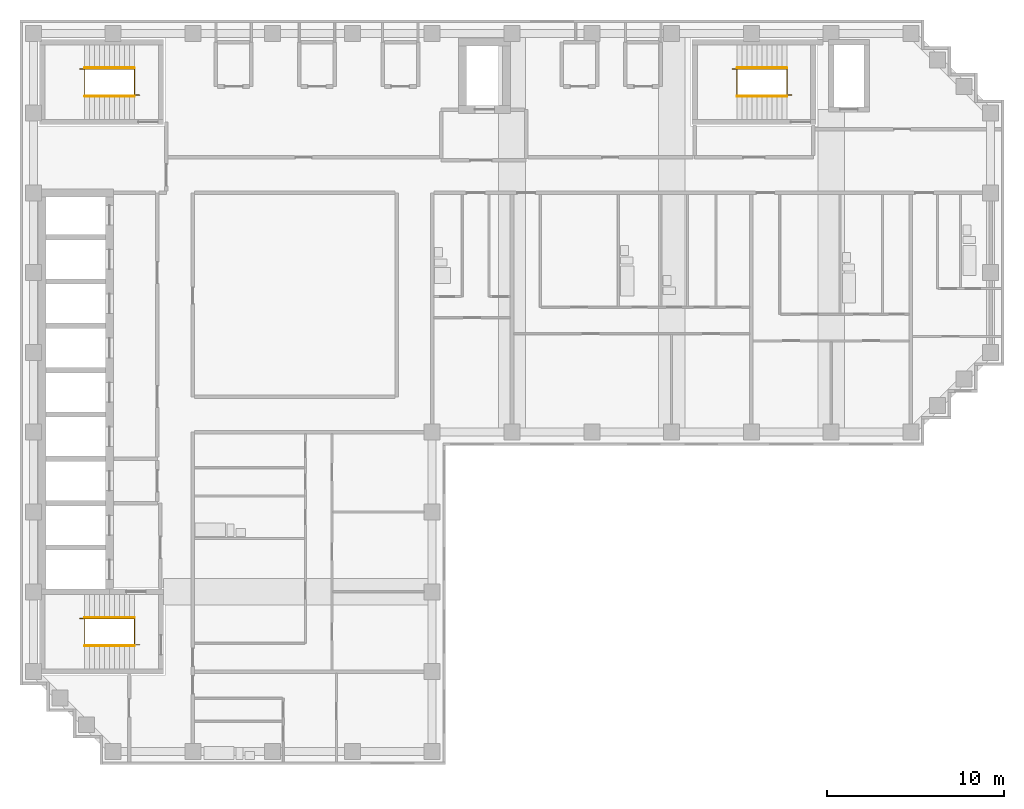
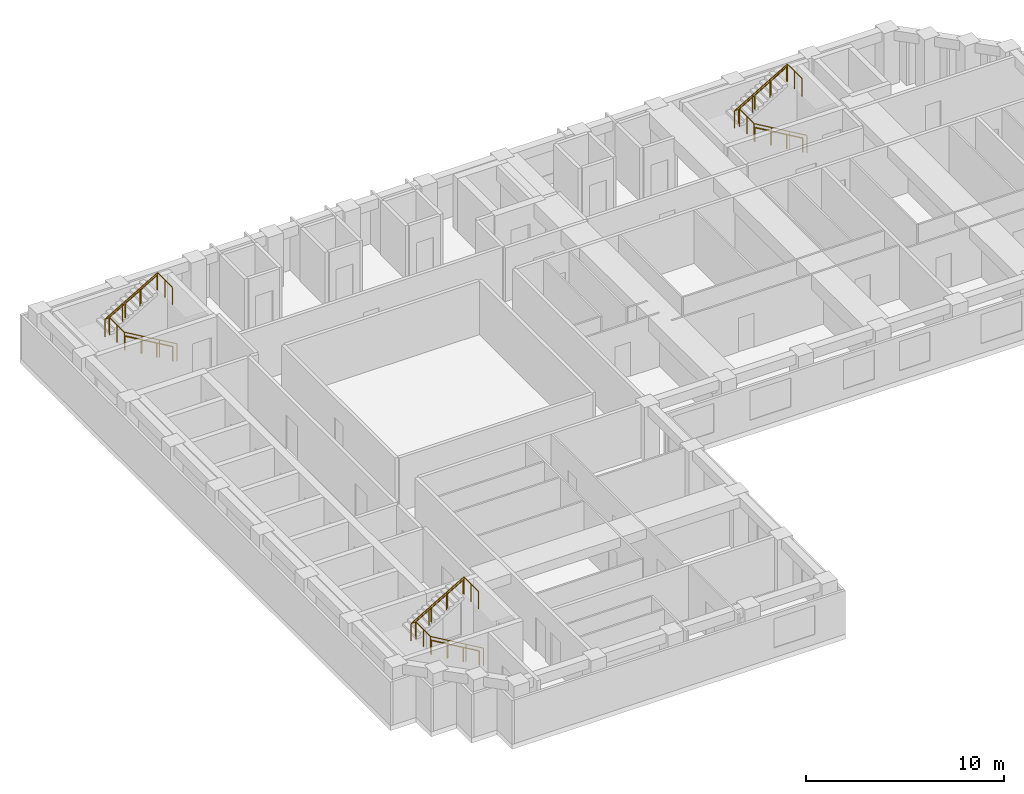
# One storey, part 8 of 9: 9 railings.
"""IFC4 building model written with IfcOpenShell, lengths in metres."""

from ifc_helpers import new_model, si_unit, direction, frame, origin, origin_2d, place, context, subcontext, project, spatial, circle, extrude, material, type_object, element, save


model = new_model("IFC4")

# Units and contexts
model_context = context("Model", 3, precision=1e-05, world=origin(), true_north=direction((0.0, 1.0)))
body_context = subcontext(model_context, "Body", "Model", "MODEL_VIEW")
ifc_project = project(units=[si_unit("LENGTHUNIT", "METRE"), si_unit("AREAUNIT", "SQUARE_METRE"), si_unit("VOLUMEUNIT", "CUBIC_METRE"), si_unit("PLANEANGLEUNIT", "RADIAN"), si_unit("MASSUNIT", "GRAM", prefix="KILO")], contexts=[model_context])

# Site, building, storey
site_placement = place(None, origin())
site = spatial("IfcSite", under=ifc_project, at=site_placement, CompositionType="ELEMENT")
building_placement = place(site_placement, origin())
building = spatial("IfcBuilding", under=site, at=building_placement, Name="Firuza Court", CompositionType="ELEMENT")
storey_placement = place(building_placement, frame((0.0, 0.0, 215.0)))
storey = spatial("IfcBuildingStorey", under=building, at=storey_placement, Name="L55", CompositionType="ELEMENT", Elevation=215.0)

# Railings
ifc_material_1 = material(Name="Steel S355", Category="steel")
railing_type_1 = type_object("IfcRailingType", Name="Handrail 900", PredefinedType="HANDRAIL", material=ifc_material_1)
railing_1_placement = place(storey_placement, frame((42.5, 54.949951171875, 0.16357421875)))
element("IfcRailing", 1, at=railing_1_placement, inside=storey, type_object=railing_type_1, Name="Handrail S1 flight 1", PredefinedType="HANDRAIL", context=body_context, shape_type="SweptSolid", body=[
    extrude(circle(Radius=0.02490234375, at=origin_2d()), frame((0.0, 0.0, 0.875), z_axis=(-0.863360870873, 0.0, 0.504586966384), x_axis=(0.0, -1.0, 0.0)), (0.0, 0.0, 1.0), 3.2431640625),
    extrude(circle(Radius=0.02001953125, at=origin_2d()), origin(), (0.0, 0.0, 1.0), 0.849853515625),
    extrude(circle(Radius=0.02001953125, at=origin_2d()), frame((-0.933349609375, 0.0, 0.54541015625)), (0.0, 0.0, 1.0), 0.849853515625),
    extrude(circle(Radius=0.02001953125, at=origin_2d()), frame((-1.86669921875, 0.0, 1.091064453125)), (0.0, 0.0, 1.0), 0.849853515625),
    extrude(circle(Radius=0.02001953125, at=origin_2d()), frame((-2.800048828125, 0.0, 1.636474609375)), (0.0, 0.0, 1.0), 0.849853515625),
])
railing_2_placement = place(storey_placement, frame((39.699951171875, 56.550048828125, 1.963623046875)))
element("IfcRailing", 2, at=railing_2_placement, inside=storey, type_object=railing_type_1, Name="Handrail S1 flight 2", PredefinedType="HANDRAIL", context=body_context, shape_type="SweptSolid", body=[
    extrude(circle(Radius=0.02490234375, at=origin_2d()), frame((0.0, 0.0, 0.875), z_axis=(0.863360870873, 0.0, 0.504586966384), x_axis=(0.0, 1.0, 0.0)), (0.0, 0.0, 1.0), 3.2431640625),
    extrude(circle(Radius=0.02001953125, at=origin_2d()), origin(), (0.0, 0.0, 1.0), 0.849853515625),
    extrude(circle(Radius=0.02001953125, at=origin_2d()), frame((0.933349609375, 0.0, 0.54541015625)), (0.0, 0.0, 1.0), 0.849853515625),
    extrude(circle(Radius=0.02001953125, at=origin_2d()), frame((1.86669921875, 0.0, 1.091064453125)), (0.0, 0.0, 1.0), 0.849853515625),
    extrude(circle(Radius=0.02001953125, at=origin_2d()), frame((2.800048828125, 0.0, 1.636474609375)), (0.0, 0.0, 1.0), 0.849853515625),
])
railing_3_placement = place(storey_placement, frame((5.699951171875, 23.949951171875, 0.16357421875)))
element("IfcRailing", 3, at=railing_3_placement, inside=storey, type_object=railing_type_1, Name="Handrail S2 flight 1", PredefinedType="HANDRAIL", context=body_context, shape_type="SweptSolid", body=[
    extrude(circle(Radius=0.02490234375, at=origin_2d()), frame((0.0, 0.0, 0.875), z_axis=(-0.863360870873, 0.0, 0.504586966384), x_axis=(0.0, -1.0, 0.0)), (0.0, 0.0, 1.0), 3.2431640625),
    extrude(circle(Radius=0.02001953125, at=origin_2d()), origin(), (0.0, 0.0, 1.0), 0.849853515625),
    extrude(circle(Radius=0.02001953125, at=origin_2d()), frame((-0.933349609375, 0.0, 0.54541015625)), (0.0, 0.0, 1.0), 0.849853515625),
    extrude(circle(Radius=0.02001953125, at=origin_2d()), frame((-1.86669921875, 0.0, 1.091064453125)), (0.0, 0.0, 1.0), 0.849853515625),
    extrude(circle(Radius=0.02001953125, at=origin_2d()), frame((-2.800048828125, 0.0, 1.636474609375)), (0.0, 0.0, 1.0), 0.849853515625),
])
railing_4_placement = place(storey_placement, frame((2.89990234375, 25.550048828125, 1.963623046875)))
element("IfcRailing", 4, at=railing_4_placement, inside=storey, type_object=railing_type_1, Name="Handrail S2 flight 2", PredefinedType="HANDRAIL", context=body_context, shape_type="SweptSolid", body=[
    extrude(circle(Radius=0.02490234375, at=origin_2d()), frame((0.0, 0.0, 0.875), z_axis=(0.863360870873, 0.0, 0.504586966384), x_axis=(0.0, 1.0, 0.0)), (0.0, 0.0, 1.0), 3.2431640625),
    extrude(circle(Radius=0.02001953125, at=origin_2d()), origin(), (0.0, 0.0, 1.0), 0.849853515625),
    extrude(circle(Radius=0.02001953125, at=origin_2d()), frame((0.933349609375, 0.0, 0.54541015625)), (0.0, 0.0, 1.0), 0.849853515625),
    extrude(circle(Radius=0.02001953125, at=origin_2d()), frame((1.86669921875, 0.0, 1.091064453125)), (0.0, 0.0, 1.0), 0.849853515625),
    extrude(circle(Radius=0.02001953125, at=origin_2d()), frame((2.800048828125, 0.0, 1.636474609375)), (0.0, 0.0, 1.0), 0.849853515625),
])
railing_5_placement = place(storey_placement, frame((5.699951171875, 54.949951171875, 0.16357421875)))
element("IfcRailing", 5, at=railing_5_placement, inside=storey, type_object=railing_type_1, Name="Handrail S3 flight 1", PredefinedType="HANDRAIL", context=body_context, shape_type="SweptSolid", body=[
    extrude(circle(Radius=0.02490234375, at=origin_2d()), frame((0.0, 0.0, 0.875), z_axis=(-0.863360870873, 0.0, 0.504586966384), x_axis=(0.0, -1.0, 0.0)), (0.0, 0.0, 1.0), 3.2431640625),
    extrude(circle(Radius=0.02001953125, at=origin_2d()), origin(), (0.0, 0.0, 1.0), 0.849853515625),
    extrude(circle(Radius=0.02001953125, at=origin_2d()), frame((-0.933349609375, 0.0, 0.54541015625)), (0.0, 0.0, 1.0), 0.849853515625),
    extrude(circle(Radius=0.02001953125, at=origin_2d()), frame((-1.86669921875, 0.0, 1.091064453125)), (0.0, 0.0, 1.0), 0.849853515625),
    extrude(circle(Radius=0.02001953125, at=origin_2d()), frame((-2.800048828125, 0.0, 1.636474609375)), (0.0, 0.0, 1.0), 0.849853515625),
])
railing_6_placement = place(storey_placement, frame((2.89990234375, 56.550048828125, 1.963623046875)))
element("IfcRailing", 6, at=railing_6_placement, inside=storey, type_object=railing_type_1, Name="Handrail S3 flight 2", PredefinedType="HANDRAIL", context=body_context, shape_type="SweptSolid", body=[
    extrude(circle(Radius=0.02490234375, at=origin_2d()), frame((0.0, 0.0, 0.875), z_axis=(0.863360870873, 0.0, 0.504586966384), x_axis=(0.0, 1.0, 0.0)), (0.0, 0.0, 1.0), 3.2431640625),
    extrude(circle(Radius=0.02001953125, at=origin_2d()), origin(), (0.0, 0.0, 1.0), 0.849853515625),
    extrude(circle(Radius=0.02001953125, at=origin_2d()), frame((0.933349609375, 0.0, 0.54541015625)), (0.0, 0.0, 1.0), 0.849853515625),
    extrude(circle(Radius=0.02001953125, at=origin_2d()), frame((1.86669921875, 0.0, 1.091064453125)), (0.0, 0.0, 1.0), 0.849853515625),
    extrude(circle(Radius=0.02001953125, at=origin_2d()), frame((2.800048828125, 0.0, 1.636474609375)), (0.0, 0.0, 1.0), 0.849853515625),
])
ifc_material_2 = material(Name="Steel S355", Category="steel")
railing_type_2 = type_object("IfcRailingType", Name="Stair guard 1100", PredefinedType="GUARDRAIL", material=ifc_material_2)
railing_7_placement = place(storey_placement, frame((42.780029296875, 55.010009765625, 0.0)))
element("IfcRailing", 7, at=railing_7_placement, inside=storey, type_object=railing_type_2, Name="Stair well guard S1", PredefinedType="GUARDRAIL", context=body_context, shape_type="SweptSolid", body=[
    extrude(circle(Radius=0.02490234375, at=origin_2d()), frame((0.0, 0.0, 1.0751953125), z_axis=(-0.863371556955, 0.0, 0.504568681787), x_axis=(0.0, -1.0, 0.0)), (0.0, 0.0, 1.0), 3.5673828125),
    extrude(circle(Radius=0.02490234375, at=origin_2d()), frame((-3.080078125, 0.0, 2.875), z_axis=(0.0, 1.0, 0.0), x_axis=(-1.0, 0.0, 0.0)), (0.0, 0.0, 1.0), 1.47998046875),
    extrude(circle(Radius=0.02490234375, at=origin_2d()), frame((-3.080078125, 1.47998046875, 2.875), z_axis=(-1.0, 0.0, 0.0), x_axis=(0.0, -1.0, 0.0)), (0.0, 0.0, 1.0), 0.280029296875),
    extrude(circle(Radius=0.02490234375, at=origin_2d()), frame((-3.360107421875, 1.47998046875, 2.875), z_axis=(0.863371556955, 0.0, 0.504568681787), x_axis=(0.0, 1.0, 0.0)), (0.0, 0.0, 1.0), 3.5673828125),
    extrude(circle(Radius=0.02490234375, at=origin_2d()), frame((-0.280029296875, 1.47998046875, 4.67529296875), z_axis=(0.0, -1.0, 0.0), x_axis=(1.0, 0.0, 0.0)), (0.0, 0.0, 1.0), 1.47998046875),
    extrude(circle(Radius=0.02490234375, at=origin_2d()), origin(), (0.0, 0.0, 1.0), 1.050048828125),
    extrude(circle(Radius=0.02490234375, at=origin_2d()), frame((-1.026611328125, 0.0, 0.60009765625)), (0.0, 0.0, 1.0), 1.050048828125),
    extrude(circle(Radius=0.02490234375, at=origin_2d()), frame((-2.053466796875, 0.0, 1.199951171875)), (0.0, 0.0, 1.0), 1.050048828125),
    extrude(circle(Radius=0.02490234375, at=origin_2d()), frame((-3.080078125, 0.0, 1.800048828125)), (0.0, 0.0, 1.0), 1.050048828125),
    extrude(circle(Radius=0.02490234375, at=origin_2d()), frame((-3.080078125, 0.739990234375, 1.800048828125)), (0.0, 0.0, 1.0), 1.050048828125),
    extrude(circle(Radius=0.02490234375, at=origin_2d()), frame((-3.080078125, 1.47998046875, 1.800048828125)), (0.0, 0.0, 1.0), 1.050048828125),
    extrude(circle(Radius=0.02490234375, at=origin_2d()), frame((-3.360107421875, 1.47998046875, 1.800048828125)), (0.0, 0.0, 1.0), 1.050048828125),
    extrude(circle(Radius=0.02490234375, at=origin_2d()), frame((-2.33349609375, 1.47998046875, 2.400146484375)), (0.0, 0.0, 1.0), 1.050048828125),
    extrude(circle(Radius=0.02490234375, at=origin_2d()), frame((-1.306640625, 1.47998046875, 3.0)), (0.0, 0.0, 1.0), 1.050048828125),
    extrude(circle(Radius=0.02490234375, at=origin_2d()), frame((-0.280029296875, 1.47998046875, 3.60009765625)), (0.0, 0.0, 1.0), 1.050048828125),
    extrude(circle(Radius=0.02490234375, at=origin_2d()), frame((-0.280029296875, 0.739990234375, 3.60009765625)), (0.0, 0.0, 1.0), 1.050048828125),
    extrude(circle(Radius=0.02490234375, at=origin_2d()), frame((-0.280029296875, 0.0, 3.60009765625)), (0.0, 0.0, 1.0), 1.050048828125),
])
railing_8_placement = place(storey_placement, frame((5.97998046875, 24.010009765625, 0.0)))
element("IfcRailing", 8, at=railing_8_placement, inside=storey, type_object=railing_type_2, Name="Stair well guard S2", PredefinedType="GUARDRAIL", context=body_context, shape_type="SweptSolid", body=[
    extrude(circle(Radius=0.02490234375, at=origin_2d()), frame((0.0, 0.0, 1.0751953125), z_axis=(-0.863371556955, 0.0, 0.504568681787), x_axis=(0.0, -1.0, 0.0)), (0.0, 0.0, 1.0), 3.5673828125),
    extrude(circle(Radius=0.02490234375, at=origin_2d()), frame((-3.080078125, 0.0, 2.875), z_axis=(0.0, 1.0, 0.0), x_axis=(-1.0, 0.0, 0.0)), (0.0, 0.0, 1.0), 1.47998046875),
    extrude(circle(Radius=0.02490234375, at=origin_2d()), frame((-3.080078125, 1.47998046875, 2.875), z_axis=(-1.0, 0.0, 0.0), x_axis=(0.0, -1.0, 0.0)), (0.0, 0.0, 1.0), 0.27978515625),
    extrude(circle(Radius=0.02490234375, at=origin_2d()), frame((-3.35986328125, 1.47998046875, 2.875), z_axis=(0.863354132664, 0.0, 0.504598495452), x_axis=(0.0, 1.0, 0.0)), (0.0, 0.0, 1.0), 3.5673828125),
    extrude(circle(Radius=0.02490234375, at=origin_2d()), frame((-0.280029296875, 1.47998046875, 4.67529296875), z_axis=(0.0, -1.0, 0.0), x_axis=(1.0, 0.0, 0.0)), (0.0, 0.0, 1.0), 1.47998046875),
    extrude(circle(Radius=0.02490234375, at=origin_2d()), origin(), (0.0, 0.0, 1.0), 1.050048828125),
    extrude(circle(Radius=0.02490234375, at=origin_2d()), frame((-1.026611328125, 0.0, 0.60009765625)), (0.0, 0.0, 1.0), 1.050048828125),
    extrude(circle(Radius=0.02490234375, at=origin_2d()), frame((-2.053466796875, 0.0, 1.199951171875)), (0.0, 0.0, 1.0), 1.050048828125),
    extrude(circle(Radius=0.02490234375, at=origin_2d()), frame((-3.080078125, 0.0, 1.800048828125)), (0.0, 0.0, 1.0), 1.050048828125),
    extrude(circle(Radius=0.02490234375, at=origin_2d()), frame((-3.080078125, 0.739990234375, 1.800048828125)), (0.0, 0.0, 1.0), 1.050048828125),
    extrude(circle(Radius=0.02490234375, at=origin_2d()), frame((-3.080078125, 1.47998046875, 1.800048828125)), (0.0, 0.0, 1.0), 1.050048828125),
    extrude(circle(Radius=0.02490234375, at=origin_2d()), frame((-3.35986328125, 1.47998046875, 1.800048828125)), (0.0, 0.0, 1.0), 1.050048828125),
    extrude(circle(Radius=0.02490234375, at=origin_2d()), frame((-2.333251953125, 1.47998046875, 2.400146484375)), (0.0, 0.0, 1.0), 1.050048828125),
    extrude(circle(Radius=0.02490234375, at=origin_2d()), frame((-1.306640625, 1.47998046875, 3.0)), (0.0, 0.0, 1.0), 1.050048828125),
    extrude(circle(Radius=0.02490234375, at=origin_2d()), frame((-0.280029296875, 1.47998046875, 3.60009765625)), (0.0, 0.0, 1.0), 1.050048828125),
    extrude(circle(Radius=0.02490234375, at=origin_2d()), frame((-0.280029296875, 0.739990234375, 3.60009765625)), (0.0, 0.0, 1.0), 1.050048828125),
    extrude(circle(Radius=0.02490234375, at=origin_2d()), frame((-0.280029296875, 0.0, 3.60009765625)), (0.0, 0.0, 1.0), 1.050048828125),
])
railing_9_placement = place(storey_placement, frame((5.97998046875, 55.010009765625, 0.0)))
element("IfcRailing", 9, at=railing_9_placement, inside=storey, type_object=railing_type_2, Name="Stair well guard S3", PredefinedType="GUARDRAIL", context=body_context, shape_type="SweptSolid", body=[
    extrude(circle(Radius=0.02490234375, at=origin_2d()), frame((0.0, 0.0, 1.0751953125), z_axis=(-0.863371556955, 0.0, 0.504568681787), x_axis=(0.0, -1.0, 0.0)), (0.0, 0.0, 1.0), 3.5673828125),
    extrude(circle(Radius=0.02490234375, at=origin_2d()), frame((-3.080078125, 0.0, 2.875), z_axis=(0.0, 1.0, 0.0), x_axis=(-1.0, 0.0, 0.0)), (0.0, 0.0, 1.0), 1.47998046875),
    extrude(circle(Radius=0.02490234375, at=origin_2d()), frame((-3.080078125, 1.47998046875, 2.875), z_axis=(-1.0, 0.0, 0.0), x_axis=(0.0, -1.0, 0.0)), (0.0, 0.0, 1.0), 0.27978515625),
    extrude(circle(Radius=0.02490234375, at=origin_2d()), frame((-3.35986328125, 1.47998046875, 2.875), z_axis=(0.863354132664, 0.0, 0.504598495452), x_axis=(0.0, 1.0, 0.0)), (0.0, 0.0, 1.0), 3.5673828125),
    extrude(circle(Radius=0.02490234375, at=origin_2d()), frame((-0.280029296875, 1.47998046875, 4.67529296875), z_axis=(0.0, -1.0, 0.0), x_axis=(1.0, 0.0, 0.0)), (0.0, 0.0, 1.0), 1.47998046875),
    extrude(circle(Radius=0.02490234375, at=origin_2d()), origin(), (0.0, 0.0, 1.0), 1.050048828125),
    extrude(circle(Radius=0.02490234375, at=origin_2d()), frame((-1.026611328125, 0.0, 0.60009765625)), (0.0, 0.0, 1.0), 1.050048828125),
    extrude(circle(Radius=0.02490234375, at=origin_2d()), frame((-2.053466796875, 0.0, 1.199951171875)), (0.0, 0.0, 1.0), 1.050048828125),
    extrude(circle(Radius=0.02490234375, at=origin_2d()), frame((-3.080078125, 0.0, 1.800048828125)), (0.0, 0.0, 1.0), 1.050048828125),
    extrude(circle(Radius=0.02490234375, at=origin_2d()), frame((-3.080078125, 0.739990234375, 1.800048828125)), (0.0, 0.0, 1.0), 1.050048828125),
    extrude(circle(Radius=0.02490234375, at=origin_2d()), frame((-3.080078125, 1.47998046875, 1.800048828125)), (0.0, 0.0, 1.0), 1.050048828125),
    extrude(circle(Radius=0.02490234375, at=origin_2d()), frame((-3.35986328125, 1.47998046875, 1.800048828125)), (0.0, 0.0, 1.0), 1.050048828125),
    extrude(circle(Radius=0.02490234375, at=origin_2d()), frame((-2.333251953125, 1.47998046875, 2.400146484375)), (0.0, 0.0, 1.0), 1.050048828125),
    extrude(circle(Radius=0.02490234375, at=origin_2d()), frame((-1.306640625, 1.47998046875, 3.0)), (0.0, 0.0, 1.0), 1.050048828125),
    extrude(circle(Radius=0.02490234375, at=origin_2d()), frame((-0.280029296875, 1.47998046875, 3.60009765625)), (0.0, 0.0, 1.0), 1.050048828125),
    extrude(circle(Radius=0.02490234375, at=origin_2d()), frame((-0.280029296875, 0.739990234375, 3.60009765625)), (0.0, 0.0, 1.0), 1.050048828125),
    extrude(circle(Radius=0.02490234375, at=origin_2d()), frame((-0.280029296875, 0.0, 3.60009765625)), (0.0, 0.0, 1.0), 1.050048828125),
])

save(model, "model.ifc")
